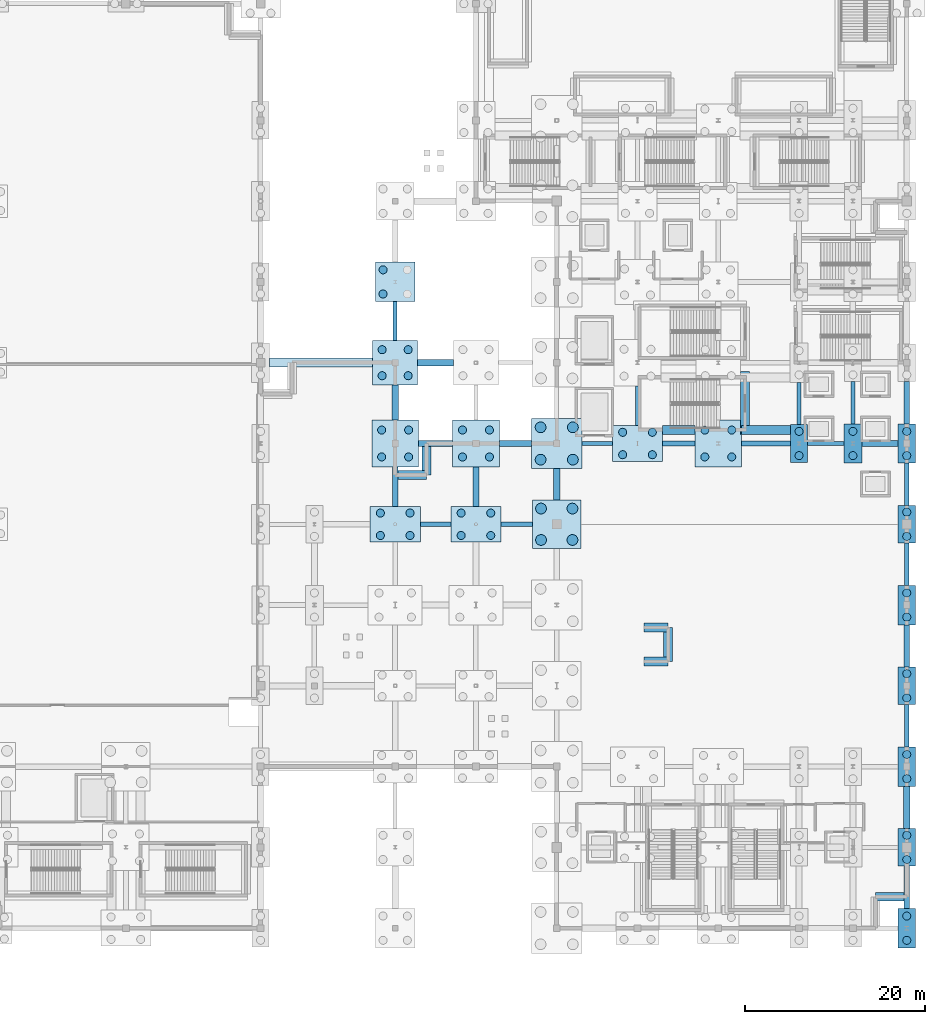
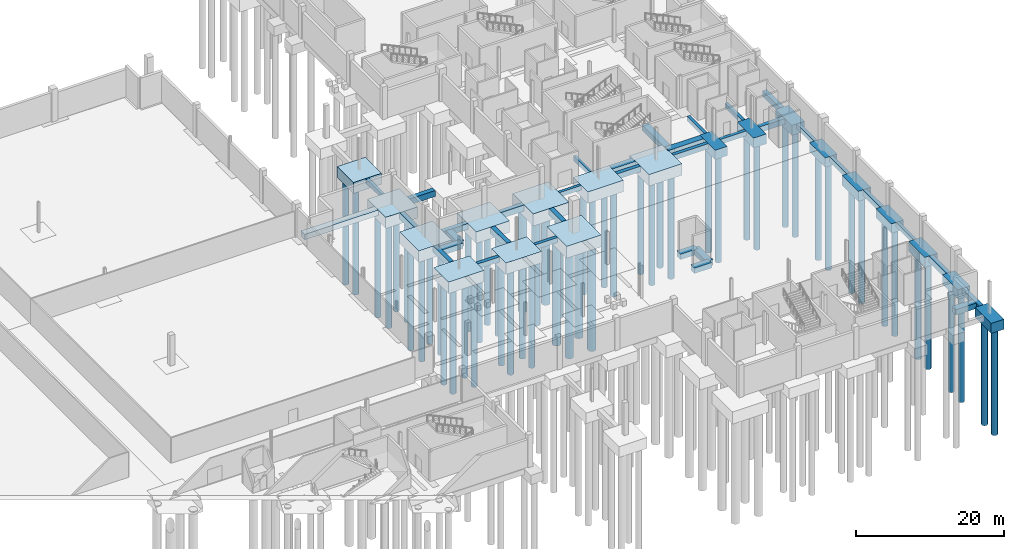
# One storey, part 7 of 58: 56 piles, 54 footings.
"""IFC4 building model written with IfcOpenShell, lengths in metres."""

from ifc_helpers import new_model, si_unit, direction, frame, origin, origin_2d, place, context, subcontext, project, spatial, rectangle, circle, extrude, material, material_profile, profile_set, type_object, element, save


model = new_model("IFC4")

# Units and contexts
model_context = context("Model", 3, precision=1e-05, world=origin(), true_north=direction((0.0, 1.0)))
body_context = subcontext(model_context, "Body", "Model", "MODEL_VIEW")
ifc_project = project(units=[si_unit("LENGTHUNIT", "METRE"), si_unit("AREAUNIT", "SQUARE_METRE"), si_unit("VOLUMEUNIT", "CUBIC_METRE"), si_unit("PLANEANGLEUNIT", "RADIAN"), si_unit("MASSUNIT", "GRAM", prefix="KILO")], contexts=[model_context])

# Site, building, storey
site_placement = place(None, origin())
site = spatial("IfcSite", under=ifc_project, at=site_placement, CompositionType="ELEMENT")
building_placement = place(site_placement, origin())
building = spatial("IfcBuilding", under=site, at=building_placement, Name="Qamarlyn Nura Convention Centre", CompositionType="ELEMENT")
storey_placement = place(building_placement, frame((0.0, 0.0, -5.39990234375)))
storey = spatial("IfcBuildingStorey", under=building, at=storey_placement, Name="B01", CompositionType="ELEMENT", Elevation=-5.39990234375)

# Footings
ifc_material = material(Name="Concrete C40/50", Category="concrete")
ifc_material_profile_1 = material_profile(ifc_material, rectangle(XDim=0.449951171875, YDim=0.75, at=origin_2d()), Name="RC GB 450x750")
ifc_profile_set_1 = profile_set([ifc_material_profile_1], Name="Concrete C40/50")
footing_type_1 = type_object("IfcFootingType", Name="GB-450X750", PredefinedType="FOOTING_BEAM", material=ifc_profile_set_1)
footing_1_placement = place(storey_placement, frame((155.800048828125, 54.0, -0.375), z_axis=(1.0, 0.0, 0.0), x_axis=(0.0, 1.0, 0.0)))
element("IfcFooting", 1, at=footing_1_placement, inside=storey, type_object=footing_type_1, Name="Ground tie beam G 13-14", PredefinedType="FOOTING_BEAM", context=body_context, shape_type="SweptSolid", body=[
    extrude(rectangle(XDim=0.449951171875, YDim=0.75, at=origin_2d()), origin(), (0.0, 0.0, 1.0), 3.39990234375),
])
footing_2_placement = place(storey_placement, frame((135.0, 65.5, -0.375), z_axis=(0.0, 1.0, 0.0), x_axis=(-1.0, 0.0, 0.0)))
element("IfcFooting", 2, at=footing_2_placement, inside=storey, type_object=footing_type_1, Name="Ground tie beam 11 H-J", PredefinedType="FOOTING_BEAM", context=body_context, shape_type="SweptSolid", body=[
    extrude(rectangle(XDim=0.449951171875, YDim=0.75, at=origin_2d()), origin(), (0.0, 0.0, 1.0), 4.300048828125),
])
footing_3_placement = place(storey_placement, frame((162.0, 56.0, -0.375), z_axis=(0.0, 1.0, 0.0), x_axis=(-1.0, 0.0, 0.0)))
element("IfcFooting", 3, at=footing_3_placement, inside=storey, type_object=footing_type_1, Name="Ground tie beam 14 G-H", PredefinedType="FOOTING_BEAM", context=body_context, shape_type="SweptSolid", body=[
    extrude(rectangle(XDim=0.449951171875, YDim=0.75, at=origin_2d()), origin(), (0.0, 0.0, 1.0), 4.39990234375),
])
for number, where, z_axis, x_axis, name in (
    (4, (180.0, 56.10009765625, -0.375), (0.0, 1.0, 0.0), (-1.0, 0.0, 0.0), "Ground tie beam 16 G-H"),
    (5, (186.0, 56.199951171875, -0.375), (0.0, 1.0, 0.0), (-1.0, 0.0, 0.0), "Ground tie beam 17 G-H"),
    (6, (192.0, 20.199951171875, -0.375), (0.0, 1.0, 0.0), (-1.0, 0.0, 0.0), "Ground tie beam 18 C-D"),
):
    element("IfcFooting", number, at=place(storey_placement, frame(where, z_axis=z_axis, x_axis=x_axis)), inside=storey, type_object=footing_type_1, Name=name, PredefinedType="FOOTING_BEAM", context=body_context, shape_type="SweptSolid", body=[
        extrude(rectangle(XDim=0.449951171875, YDim=0.75, at=origin_2d()), origin(), (0.0, 0.0, 1.0), 4.699951171875),
    ])
ifc_material_profile_2 = material_profile(ifc_material, rectangle(XDim=0.5, YDim=0.800048828125, at=origin_2d()), Name="RC GB 500x800")
ifc_profile_set_2 = profile_set([ifc_material_profile_2], Name="Concrete C40/50")
footing_type_2 = type_object("IfcFootingType", Name="GB-500X800", PredefinedType="FOOTING_BEAM", material=ifc_profile_set_2)
footing_4_placement = place(storey_placement, frame((146.800048828125, 45.0, -0.400146484375), z_axis=(1.0, 0.0, 0.0), x_axis=(0.0, 1.0, 0.0)))
element("IfcFooting", 7, at=footing_4_placement, inside=storey, type_object=footing_type_2, Name="Ground tie beam F 12-13", PredefinedType="FOOTING_BEAM", context=body_context, shape_type="SweptSolid", body=[
    extrude(rectangle(XDim=0.5, YDim=0.800048828125, at=origin_2d()), origin(), (0.0, 0.0, 1.0), 3.5),
])
footing_5_placement = place(storey_placement, frame((180.949951171875, 54.0, -0.400146484375), z_axis=(1.0, 0.0, 0.0), x_axis=(0.0, 1.0, 0.0)))
element("IfcFooting", 8, at=footing_5_placement, inside=storey, type_object=footing_type_2, Name="Ground tie beam G 16-17", PredefinedType="FOOTING_BEAM", context=body_context, shape_type="SweptSolid", body=[
    extrude(rectangle(XDim=0.5, YDim=0.800048828125, at=origin_2d()), origin(), (0.0, 0.0, 1.0), 4.050048828125),
])
footing_6_placement = place(storey_placement, frame((192.0, 47.10009765625, -0.400146484375), z_axis=(0.0, 1.0, 0.0), x_axis=(-1.0, 0.0, 0.0)))
element("IfcFooting", 9, at=footing_6_placement, inside=storey, type_object=footing_type_2, Name="Ground tie beam 18 F-G", PredefinedType="FOOTING_BEAM", context=body_context, shape_type="SweptSolid", body=[
    extrude(rectangle(XDim=0.5, YDim=0.800048828125, at=origin_2d()), origin(), (0.0, 0.0, 1.0), 4.699951171875),
])
ifc_material_profile_3 = material_profile(ifc_material, rectangle(XDim=0.550048828125, YDim=0.85009765625, at=origin_2d()), Name="RC GB 550x850")
ifc_profile_set_3 = profile_set([ifc_material_profile_3], Name="Concrete C40/50")
footing_type_3 = type_object("IfcFootingType", Name="GB-550X850", PredefinedType="FOOTING_BEAM", material=ifc_profile_set_3)
footing_7_placement = place(storey_placement, frame((137.800048828125, 45.0, -0.425048828125), z_axis=(1.0, 0.0, 0.0), x_axis=(0.0, 1.0, 0.0)))
element("IfcFooting", 10, at=footing_7_placement, inside=storey, type_object=footing_type_3, Name="Ground tie beam F 11-12", PredefinedType="FOOTING_BEAM", context=body_context, shape_type="SweptSolid", body=[
    extrude(rectangle(XDim=0.550048828125, YDim=0.85009765625, at=origin_2d()), origin(), (0.0, 0.0, 1.0), 3.39990234375),
])
footing_8_placement = place(storey_placement, frame((173.60009765625, 54.0, -0.425048828125), z_axis=(1.0, 0.0, 0.0), x_axis=(0.0, 1.0, 0.0)))
element("IfcFooting", 11, at=footing_8_placement, inside=storey, type_object=footing_type_3, Name="Ground tie beam G 15-16", PredefinedType="FOOTING_BEAM", context=body_context, shape_type="SweptSolid", body=[
    extrude(rectangle(XDim=0.550048828125, YDim=0.85009765625, at=origin_2d()), origin(), (0.0, 0.0, 1.0), 5.449951171875),
])
footing_9_placement = place(storey_placement, frame((192.0, 38.199951171875, -0.425048828125), z_axis=(0.0, 1.0, 0.0), x_axis=(-1.0, 0.0, 0.0)))
element("IfcFooting", 12, at=footing_9_placement, inside=storey, type_object=footing_type_3, Name="Ground tie beam 18 E-F", PredefinedType="FOOTING_BEAM", context=body_context, shape_type="SweptSolid", body=[
    extrude(rectangle(XDim=0.550048828125, YDim=0.85009765625, at=origin_2d()), origin(), (0.0, 0.0, 1.0), 4.699951171875),
])
ifc_material_profile_4 = material_profile(ifc_material, rectangle(XDim=0.60009765625, YDim=0.89990234375, at=origin_2d()), Name="RC GB 600x900")
ifc_profile_set_4 = profile_set([ifc_material_profile_4], Name="Concrete C40/50")
footing_type_4 = type_object("IfcFootingType", Name="GB-600X900", PredefinedType="FOOTING_BEAM", material=ifc_profile_set_4)
footing_10_placement = place(storey_placement, frame((164.800048828125, 54.0, -0.4501953125), z_axis=(1.0, 0.0, 0.0), x_axis=(0.0, 1.0, 0.0)))
element("IfcFooting", 13, at=footing_10_placement, inside=storey, type_object=footing_type_4, Name="Ground tie beam G 14-15", PredefinedType="FOOTING_BEAM", context=body_context, shape_type="SweptSolid", body=[
    extrude(rectangle(XDim=0.60009765625, YDim=0.89990234375, at=origin_2d()), origin(), (0.0, 0.0, 1.0), 3.599853515625),
])
footing_11_placement = place(storey_placement, frame((192.0, 29.10009765625, -0.4501953125), z_axis=(0.0, 1.0, 0.0), x_axis=(-1.0, 0.0, 0.0)))
element("IfcFooting", 14, at=footing_11_placement, inside=storey, type_object=footing_type_4, Name="Ground tie beam 18 D-E", PredefinedType="FOOTING_BEAM", context=body_context, shape_type="SweptSolid", body=[
    extrude(rectangle(XDim=0.60009765625, YDim=0.89990234375, at=origin_2d()), origin(), (0.0, 0.0, 1.0), 4.699951171875),
])
ifc_material_profile_5 = material_profile(ifc_material, rectangle(XDim=0.64990234375, YDim=0.949951171875, at=origin_2d()), Name="RC GB 650x950")
ifc_profile_set_5 = profile_set([ifc_material_profile_5], Name="Concrete C40/50")
footing_type_5 = type_object("IfcFootingType", Name="GB-650X950", PredefinedType="FOOTING_BEAM", material=ifc_profile_set_5)
footing_12_placement = place(storey_placement, frame((137.60009765625, 54.0, -0.47509765625), z_axis=(1.0, 0.0, 0.0), x_axis=(0.0, 1.0, 0.0)))
element("IfcFooting", 15, at=footing_12_placement, inside=storey, type_object=footing_type_5, Name="Ground tie beam G 11-12", PredefinedType="FOOTING_BEAM", context=body_context, shape_type="SweptSolid", body=[
    extrude(rectangle(XDim=0.64990234375, YDim=0.949951171875, at=origin_2d()), origin(), (0.0, 0.0, 1.0), 3.7998046875),
])
footing_13_placement = place(storey_placement, frame((187.0, 54.0, -0.47509765625), z_axis=(1.0, 0.0, 0.0), x_axis=(0.0, 1.0, 0.0)))
element("IfcFooting", 16, at=footing_13_placement, inside=storey, type_object=footing_type_5, Name="Ground tie beam G 17-18", PredefinedType="FOOTING_BEAM", context=body_context, shape_type="SweptSolid", body=[
    extrude(rectangle(XDim=0.64990234375, YDim=0.949951171875, at=origin_2d()), origin(), (0.0, 0.0, 1.0), 4.0),
])
footing_14_placement = place(storey_placement, frame((135.0, 47.0, -0.47509765625), z_axis=(0.0, 1.0, 0.0), x_axis=(-1.0, 0.0, 0.0)))
element("IfcFooting", 17, at=footing_14_placement, inside=storey, type_object=footing_type_5, Name="Ground tie beam 11 F-G", PredefinedType="FOOTING_BEAM", context=body_context, shape_type="SweptSolid", body=[
    extrude(rectangle(XDim=0.64990234375, YDim=0.949951171875, at=origin_2d()), origin(), (0.0, 0.0, 1.0), 4.39990234375),
])
for number, where, z_axis, x_axis, name in (
    (18, (192.0, 2.199951171875, -0.47509765625), (0.0, 1.0, 0.0), (-1.0, 0.0, 0.0), "Ground tie beam 18 A-B"),
    (19, (192.0, 56.199951171875, -0.47509765625), (0.0, 1.0, 0.0), (-1.0, 0.0, 0.0), "Ground tie beam 18 G-H"),
):
    element("IfcFooting", number, at=place(storey_placement, frame(where, z_axis=z_axis, x_axis=x_axis)), inside=storey, type_object=footing_type_5, Name=name, PredefinedType="FOOTING_BEAM", context=body_context, shape_type="SweptSolid", body=[
        extrude(rectangle(XDim=0.64990234375, YDim=0.949951171875, at=origin_2d()), origin(), (0.0, 0.0, 1.0), 4.699951171875),
    ])
ifc_material_profile_6 = material_profile(ifc_material, rectangle(XDim=0.699951171875, YDim=1.0, at=origin_2d()), Name="RC GB 700x1000")
ifc_profile_set_6 = profile_set([ifc_material_profile_6], Name="Concrete C40/50")
footing_type_6 = type_object("IfcFootingType", Name="GB-700X1000", PredefinedType="FOOTING_BEAM", material=ifc_profile_set_6)
footing_15_placement = place(storey_placement, frame((146.60009765625, 54.0, -0.5), z_axis=(1.0, 0.0, 0.0), x_axis=(0.0, 1.0, 0.0)))
element("IfcFooting", 20, at=footing_15_placement, inside=storey, type_object=footing_type_6, Name="Ground tie beam G 12-13", PredefinedType="FOOTING_BEAM", context=body_context, shape_type="SweptSolid", body=[
    extrude(rectangle(XDim=0.699951171875, YDim=1.0, at=origin_2d()), origin(), (0.0, 0.0, 1.0), 3.599853515625),
])
footing_16_placement = place(storey_placement, frame((137.5, 63.0, -0.5), z_axis=(1.0, 0.0, 0.0), x_axis=(0.0, 1.0, 0.0)))
element("IfcFooting", 21, at=footing_16_placement, inside=storey, type_object=footing_type_6, Name="Ground tie beam H 11-12", PredefinedType="FOOTING_BEAM", context=body_context, shape_type="SweptSolid", body=[
    extrude(rectangle(XDim=0.699951171875, YDim=1.0, at=origin_2d()), origin(), (0.0, 0.0, 1.0), 4.0),
])
footing_17_placement = place(storey_placement, frame((135.0, 56.60009765625, -0.5), z_axis=(0.0, 1.0, 0.0), x_axis=(-1.0, 0.0, 0.0)))
element("IfcFooting", 22, at=footing_17_placement, inside=storey, type_object=footing_type_6, Name="Ground tie beam 11 G-H", PredefinedType="FOOTING_BEAM", context=body_context, shape_type="SweptSolid", body=[
    extrude(rectangle(XDim=0.699951171875, YDim=1.0, at=origin_2d()), origin(), (0.0, 0.0, 1.0), 3.89990234375),
])
footing_18_placement = place(storey_placement, frame((144.0, 47.0, -0.5), z_axis=(0.0, 1.0, 0.0), x_axis=(-1.0, 0.0, 0.0)))
element("IfcFooting", 23, at=footing_18_placement, inside=storey, type_object=footing_type_6, Name="Ground tie beam 12 F-G", PredefinedType="FOOTING_BEAM", context=body_context, shape_type="SweptSolid", body=[
    extrude(rectangle(XDim=0.699951171875, YDim=1.0, at=origin_2d()), origin(), (0.0, 0.0, 1.0), 4.39990234375),
])
footing_19_placement = place(storey_placement, frame((153.0, 47.699951171875, -0.5), z_axis=(0.0, 1.0, 0.0), x_axis=(-1.0, 0.0, 0.0)))
element("IfcFooting", 24, at=footing_19_placement, inside=storey, type_object=footing_type_6, Name="Ground tie beam 13 F-G", PredefinedType="FOOTING_BEAM", context=body_context, shape_type="SweptSolid", body=[
    extrude(rectangle(XDim=0.699951171875, YDim=1.0, at=origin_2d()), origin(), (0.0, 0.0, 1.0), 3.5),
])
footing_20_placement = place(storey_placement, frame((192.0, 11.10009765625, -0.5), z_axis=(0.0, 1.0, 0.0), x_axis=(-1.0, 0.0, 0.0)))
element("IfcFooting", 25, at=footing_20_placement, inside=storey, type_object=footing_type_6, Name="Ground tie beam 18 B-C", PredefinedType="FOOTING_BEAM", context=body_context, shape_type="SweptSolid", body=[
    extrude(rectangle(XDim=0.699951171875, YDim=1.0, at=origin_2d()), origin(), (0.0, 0.0, 1.0), 4.699951171875),
])
footing_type_7 = type_object("IfcFootingType", Name="PC-CORE-56X40", PredefinedType="PILE_CAP", material=ifc_material)
for number, where, z_axis, x_axis, name in (
    (26, (135.0, 45.0, -1.900146484375), (0.0, 0.0, 1.0), (1.0, 0.0, 0.0), "Pile cap CAP-11-F"),
    (27, (144.0, 45.0, -1.900146484375), (0.0, 0.0, 1.0), (1.0, 0.0, 0.0), "Pile cap CAP-12-F"),
    (28, (162.0, 54.0, -1.900146484375), (0.0, 0.0, 1.0), (1.0, 0.0, 0.0), "Pile cap CAP-14-G"),
):
    element("IfcFooting", number, at=place(storey_placement, frame(where, z_axis=z_axis, x_axis=x_axis)), inside=storey, type_object=footing_type_7, Name=name, PredefinedType="PILE_CAP", context=body_context, shape_type="SweptSolid", body=[
        extrude(rectangle(XDim=5.60009765625, YDim=4.0, at=origin_2d()), origin(), (0.0, 0.0, 1.0), 1.89990234375),
    ])
footing_type_8 = type_object("IfcFootingType", Name="PC-HALL-50", PredefinedType="PILE_CAP", material=ifc_material)
footing_21_placement = place(storey_placement, frame((135.0, 63.0, -1.85009765625), z_axis=(0.0, 0.0, 1.0), x_axis=(1.0, 0.0, 0.0)))
element("IfcFooting", 29, at=footing_21_placement, inside=storey, type_object=footing_type_8, Name="Pile cap CAP-11-H", PredefinedType="PILE_CAP", context=body_context, shape_type="SweptSolid", body=[
    extrude(rectangle(XDim=5.0, YDim=5.0, at=origin_2d()), origin(), (0.0, 0.0, 1.0), 1.85009765625),
])
footing_type_9 = type_object("IfcFootingType", Name="PC-HALL-52", PredefinedType="PILE_CAP", material=ifc_material)
for number, where, z_axis, x_axis, name in (
    (30, (135.0, 54.0, -1.900146484375), (0.0, 0.0, 1.0), (1.0, 0.0, 0.0), "Pile cap CAP-11-G"),
    (31, (144.0, 54.0, -1.900146484375), (0.0, 0.0, 1.0), (1.0, 0.0, 0.0), "Pile cap CAP-12-G"),
    (32, (171.0, 54.0, -1.900146484375), (0.0, 0.0, 1.0), (1.0, 0.0, 0.0), "Pile cap CAP-15-G"),
):
    element("IfcFooting", number, at=place(storey_placement, frame(where, z_axis=z_axis, x_axis=x_axis)), inside=storey, type_object=footing_type_9, Name=name, PredefinedType="PILE_CAP", context=body_context, shape_type="SweptSolid", body=[
        extrude(rectangle(XDim=5.199951171875, YDim=5.199951171875, at=origin_2d()), origin(), (0.0, 0.0, 1.0), 1.89990234375),
    ])
footing_type_10 = type_object("IfcFootingType", Name="PC-MEGA-54", PredefinedType="PILE_CAP", material=ifc_material)
footing_22_placement = place(storey_placement, frame((153.0, 45.0, -1.9501953125), z_axis=(0.0, 0.0, 1.0), x_axis=(1.0, 0.0, 0.0)))
element("IfcFooting", 33, at=footing_22_placement, inside=storey, type_object=footing_type_10, Name="Pile cap CAP-13-F", PredefinedType="PILE_CAP", context=body_context, shape_type="SweptSolid", body=[
    extrude(rectangle(XDim=5.39990234375, YDim=5.39990234375, at=origin_2d()), origin(), (0.0, 0.0, 1.0), 1.949951171875),
])
footing_type_11 = type_object("IfcFootingType", Name="PC-MEGA-56", PredefinedType="PILE_CAP", material=ifc_material)
footing_23_placement = place(storey_placement, frame((153.0, 54.0, -2.0), z_axis=(0.0, 0.0, 1.0), x_axis=(1.0, 0.0, 0.0)))
element("IfcFooting", 34, at=footing_23_placement, inside=storey, type_object=footing_type_11, Name="Pile cap CAP-13-G", PredefinedType="PILE_CAP", context=body_context, shape_type="SweptSolid", body=[
    extrude(rectangle(XDim=5.60009765625, YDim=5.60009765625, at=origin_2d()), origin(), (0.0, 0.0, 1.0), 2.0),
])
footing_type_12 = type_object("IfcFootingType", Name="PC-PAIR-19X42", PredefinedType="PILE_CAP", material=ifc_material)
for number, where, z_axis, x_axis, name in (
    (35, (180.0, 54.0, -1.55029296875), (0.0, 0.0, 1.0), (1.0, 0.0, 0.0), "Pile cap CAP-16-G"),
    (36, (192.0, 9.0, -1.55029296875), (0.0, 0.0, 1.0), (1.0, 0.0, 0.0), "Pile cap CAP-18-B"),
    (37, (192.0, 27.0, -1.55029296875), (0.0, 0.0, 1.0), (1.0, 0.0, 0.0), "Pile cap CAP-18-D"),
    (38, (192.0, 45.0, -1.55029296875), (0.0, 0.0, 1.0), (1.0, 0.0, 0.0), "Pile cap CAP-18-F"),
):
    element("IfcFooting", number, at=place(storey_placement, frame(where, z_axis=z_axis, x_axis=x_axis)), inside=storey, type_object=footing_type_12, Name=name, PredefinedType="PILE_CAP", context=body_context, shape_type="SweptSolid", body=[
        extrude(rectangle(XDim=1.89990234375, YDim=4.199951171875, at=origin_2d()), origin(), (0.0, 0.0, 1.0), 1.550048828125),
    ])
footing_type_13 = type_object("IfcFootingType", Name="PC-PAIR-20X44", PredefinedType="PILE_CAP", material=ifc_material)
for number, where, z_axis, x_axis, name in (
    (39, (186.0, 54.0, -1.650146484375), (0.0, 0.0, 1.0), (1.0, 0.0, 0.0), "Pile cap CAP-17-G"),
    (40, (192.0, 0.0, -1.650146484375), (0.0, 0.0, 1.0), (1.0, 0.0, 0.0), "Pile cap CAP-18-A"),
    (41, (192.0, 18.0, -1.650146484375), (0.0, 0.0, 1.0), (1.0, 0.0, 0.0), "Pile cap CAP-18-C"),
    (42, (192.0, 36.0, -1.650146484375), (0.0, 0.0, 1.0), (1.0, 0.0, 0.0), "Pile cap CAP-18-E"),
    (43, (192.0, 54.0, -1.650146484375), (0.0, 0.0, 1.0), (1.0, 0.0, 0.0), "Pile cap CAP-18-G"),
):
    element("IfcFooting", number, at=place(storey_placement, frame(where, z_axis=z_axis, x_axis=x_axis)), inside=storey, type_object=footing_type_13, Name=name, PredefinedType="PILE_CAP", context=body_context, shape_type="SweptSolid", body=[
        extrude(rectangle(XDim=2.0, YDim=4.39990234375, at=origin_2d()), origin(), (0.0, 0.0, 1.0), 1.64990234375),
    ])
footing_type_14 = type_object("IfcFootingType", Name="PC-WING-44", PredefinedType="PILE_CAP", material=ifc_material)
footing_24_placement = place(storey_placement, frame((135.0, 72.0, -1.80029296875), z_axis=(0.0, 0.0, 1.0), x_axis=(1.0, 0.0, 0.0)))
element("IfcFooting", 44, at=footing_24_placement, inside=storey, type_object=footing_type_14, Name="Pile cap CAP-11-J", PredefinedType="PILE_CAP", context=body_context, shape_type="SweptSolid", body=[
    extrude(rectangle(XDim=4.39990234375, YDim=4.39990234375, at=origin_2d()), origin(), (0.0, 0.0, 1.0), 1.800048828125),
])

# Piles
ifc_material_profile_7 = material_profile(ifc_material, circle(Radius=0.60009765625, at=origin_2d()), Name="BORED PILE 1200")
ifc_profile_set_7 = profile_set([ifc_material_profile_7], Name="Concrete C40/50")
pile_type_1 = type_object("IfcPileType", Name="PILE-1200", PredefinedType="BORED", material=ifc_profile_set_7)
for number, where, z_axis, x_axis, name in (
    (45, (151.25, 43.25, -1.800048828125), (0.0, 0.0, -1.0), (1.0, 0.0, 0.0), "Bored pile PILE-13-F-1"),
    (46, (154.75, 43.25, -1.800048828125), (0.0, 0.0, -1.0), (1.0, 0.0, 0.0), "Bored pile PILE-13-F-2"),
    (47, (151.25, 46.75, -1.800048828125), (0.0, 0.0, -1.0), (1.0, 0.0, 0.0), "Bored pile PILE-13-F-3"),
    (48, (154.75, 46.75, -1.800048828125), (0.0, 0.0, -1.0), (1.0, 0.0, 0.0), "Bored pile PILE-13-F-4"),
):
    element("IfcPile", number, at=place(storey_placement, frame(where, z_axis=z_axis, x_axis=x_axis)), inside=storey, type_object=pile_type_1, Name=name, PredefinedType="BORED", context=body_context, shape_type="SweptSolid", body=[
        extrude(circle(Radius=0.60009765625, at=origin_2d()), origin(), (0.0, 0.0, 1.0), 17.300048828125),
    ])
for number, where, z_axis, x_axis, name in (
    (49, (151.199951171875, 52.199951171875, -1.85009765625), (0.0, 0.0, -1.0), (1.0, 0.0, 0.0), "Bored pile PILE-13-G-1"),
    (50, (154.800048828125, 52.199951171875, -1.85009765625), (0.0, 0.0, -1.0), (1.0, 0.0, 0.0), "Bored pile PILE-13-G-2"),
    (51, (151.199951171875, 55.800048828125, -1.85009765625), (0.0, 0.0, -1.0), (1.0, 0.0, 0.0), "Bored pile PILE-13-G-3"),
    (52, (154.800048828125, 55.800048828125, -1.85009765625), (0.0, 0.0, -1.0), (1.0, 0.0, 0.0), "Bored pile PILE-13-G-4"),
):
    element("IfcPile", number, at=place(storey_placement, frame(where, z_axis=z_axis, x_axis=x_axis)), inside=storey, type_object=pile_type_1, Name=name, PredefinedType="BORED", context=body_context, shape_type="SweptSolid", body=[
        extrude(circle(Radius=0.60009765625, at=origin_2d()), origin(), (0.0, 0.0, 1.0), 17.25),
    ])
ifc_material_profile_8 = material_profile(ifc_material, circle(Radius=0.449951171875, at=origin_2d()), Name="BORED PILE 900")
ifc_profile_set_8 = profile_set([ifc_material_profile_8], Name="Concrete C40/50")
pile_type_2 = type_object("IfcPileType", Name="PILE-900", PredefinedType="BORED", material=ifc_profile_set_8)
for number, where, z_axis, x_axis, name in (
    (53, (133.35009765625, 43.75, -1.75), (0.0, 0.0, -1.0), (1.0, 0.0, 0.0), "Bored pile PILE-11-F-1"),
    (54, (136.64990234375, 43.75, -1.75), (0.0, 0.0, -1.0), (1.0, 0.0, 0.0), "Bored pile PILE-11-F-2"),
    (55, (133.35009765625, 46.25, -1.75), (0.0, 0.0, -1.0), (1.0, 0.0, 0.0), "Bored pile PILE-11-F-3"),
    (56, (136.64990234375, 46.25, -1.75), (0.0, 0.0, -1.0), (1.0, 0.0, 0.0), "Bored pile PILE-11-F-4"),
    (57, (133.5, 52.5, -1.75), (0.0, 0.0, -1.0), (1.0, 0.0, 0.0), "Bored pile PILE-11-G-1"),
    (58, (136.5, 52.5, -1.75), (0.0, 0.0, -1.0), (1.0, 0.0, 0.0), "Bored pile PILE-11-G-2"),
    (59, (133.5, 55.5, -1.75), (0.0, 0.0, -1.0), (1.0, 0.0, 0.0), "Bored pile PILE-11-G-3"),
    (60, (136.5, 55.5, -1.75), (0.0, 0.0, -1.0), (1.0, 0.0, 0.0), "Bored pile PILE-11-G-4"),
):
    element("IfcPile", number, at=place(storey_placement, frame(where, z_axis=z_axis, x_axis=x_axis)), inside=storey, type_object=pile_type_2, Name=name, PredefinedType="BORED", context=body_context, shape_type="SweptSolid", body=[
        extrude(circle(Radius=0.449951171875, at=origin_2d()), origin(), (0.0, 0.0, 1.0), 17.35009765625),
    ])
for number, where, z_axis, x_axis, name in (
    (61, (133.550048828125, 61.550048828125, -1.7001953125), (0.0, 0.0, -1.0), (1.0, 0.0, 0.0), "Bored pile PILE-11-H-1"),
    (62, (136.449951171875, 61.550048828125, -1.7001953125), (0.0, 0.0, -1.0), (1.0, 0.0, 0.0), "Bored pile PILE-11-H-2"),
    (63, (133.550048828125, 64.449951171875, -1.7001953125), (0.0, 0.0, -1.0), (1.0, 0.0, 0.0), "Bored pile PILE-11-H-3"),
    (64, (136.449951171875, 64.449951171875, -1.7001953125), (0.0, 0.0, -1.0), (1.0, 0.0, 0.0), "Bored pile PILE-11-H-4"),
):
    element("IfcPile", number, at=place(storey_placement, frame(where, z_axis=z_axis, x_axis=x_axis)), inside=storey, type_object=pile_type_2, Name=name, PredefinedType="BORED", context=body_context, shape_type="SweptSolid", body=[
        extrude(circle(Radius=0.449951171875, at=origin_2d()), origin(), (0.0, 0.0, 1.0), 17.39990234375),
    ])
for number, where, z_axis, x_axis, name in (
    (65, (133.64990234375, 70.64990234375, -1.650146484375), (0.0, 0.0, -1.0), (1.0, 0.0, 0.0), "Bored pile PILE-11-J-1"),
    (66, (133.64990234375, 73.35009765625, -1.650146484375), (0.0, 0.0, -1.0), (1.0, 0.0, 0.0), "Bored pile PILE-11-J-3"),
):
    element("IfcPile", number, at=place(storey_placement, frame(where, z_axis=z_axis, x_axis=x_axis)), inside=storey, type_object=pile_type_2, Name=name, PredefinedType="BORED", context=body_context, shape_type="SweptSolid", body=[
        extrude(circle(Radius=0.449951171875, at=origin_2d()), origin(), (0.0, 0.0, 1.0), 17.449951171875),
    ])
for number, where, z_axis, x_axis, name in (
    (67, (142.35009765625, 43.75, -1.75), (0.0, 0.0, -1.0), (1.0, 0.0, 0.0), "Bored pile PILE-12-F-1"),
    (68, (145.64990234375, 43.75, -1.75), (0.0, 0.0, -1.0), (1.0, 0.0, 0.0), "Bored pile PILE-12-F-2"),
    (69, (142.35009765625, 46.25, -1.75), (0.0, 0.0, -1.0), (1.0, 0.0, 0.0), "Bored pile PILE-12-F-3"),
    (70, (145.64990234375, 46.25, -1.75), (0.0, 0.0, -1.0), (1.0, 0.0, 0.0), "Bored pile PILE-12-F-4"),
    (71, (142.5, 52.5, -1.75), (0.0, 0.0, -1.0), (1.0, 0.0, 0.0), "Bored pile PILE-12-G-1"),
    (72, (145.5, 52.5, -1.75), (0.0, 0.0, -1.0), (1.0, 0.0, 0.0), "Bored pile PILE-12-G-2"),
    (73, (142.5, 55.5, -1.75), (0.0, 0.0, -1.0), (1.0, 0.0, 0.0), "Bored pile PILE-12-G-3"),
    (74, (145.5, 55.5, -1.75), (0.0, 0.0, -1.0), (1.0, 0.0, 0.0), "Bored pile PILE-12-G-4"),
    (75, (160.35009765625, 52.75, -1.75), (0.0, 0.0, -1.0), (1.0, 0.0, 0.0), "Bored pile PILE-14-G-1"),
    (76, (163.64990234375, 52.75, -1.75), (0.0, 0.0, -1.0), (1.0, 0.0, 0.0), "Bored pile PILE-14-G-2"),
    (77, (160.35009765625, 55.25, -1.75), (0.0, 0.0, -1.0), (1.0, 0.0, 0.0), "Bored pile PILE-14-G-3"),
    (78, (163.64990234375, 55.25, -1.75), (0.0, 0.0, -1.0), (1.0, 0.0, 0.0), "Bored pile PILE-14-G-4"),
    (79, (169.5, 52.5, -1.75), (0.0, 0.0, -1.0), (1.0, 0.0, 0.0), "Bored pile PILE-15-G-1"),
    (80, (172.5, 52.5, -1.75), (0.0, 0.0, -1.0), (1.0, 0.0, 0.0), "Bored pile PILE-15-G-2"),
    (81, (169.5, 55.5, -1.75), (0.0, 0.0, -1.0), (1.0, 0.0, 0.0), "Bored pile PILE-15-G-3"),
    (82, (172.5, 55.5, -1.75), (0.0, 0.0, -1.0), (1.0, 0.0, 0.0), "Bored pile PILE-15-G-4"),
):
    element("IfcPile", number, at=place(storey_placement, frame(where, z_axis=z_axis, x_axis=x_axis)), inside=storey, type_object=pile_type_2, Name=name, PredefinedType="BORED", context=body_context, shape_type="SweptSolid", body=[
        extrude(circle(Radius=0.449951171875, at=origin_2d()), origin(), (0.0, 0.0, 1.0), 17.35009765625),
    ])
for number, where, z_axis, x_axis, name in (
    (83, (180.0, 52.64990234375, -1.400146484375), (0.0, 0.0, -1.0), (1.0, 0.0, 0.0), "Bored pile PILE-16-G-1"),
    (84, (180.0, 55.35009765625, -1.400146484375), (0.0, 0.0, -1.0), (1.0, 0.0, 0.0), "Bored pile PILE-16-G-2"),
):
    element("IfcPile", number, at=place(storey_placement, frame(where, z_axis=z_axis, x_axis=x_axis)), inside=storey, type_object=pile_type_2, Name=name, PredefinedType="BORED", context=body_context, shape_type="SweptSolid", body=[
        extrude(circle(Radius=0.449951171875, at=origin_2d()), origin(), (0.0, 0.0, 1.0), 17.699951171875),
    ])
for number, where, z_axis, x_axis, name in (
    (85, (186.0, 52.64990234375, -1.5), (0.0, 0.0, -1.0), (1.0, 0.0, 0.0), "Bored pile PILE-17-G-1"),
    (86, (186.0, 55.35009765625, -1.5), (0.0, 0.0, -1.0), (1.0, 0.0, 0.0), "Bored pile PILE-17-G-2"),
    (87, (192.0, -1.35009765625, -1.5), (0.0, 0.0, -1.0), (1.0, 0.0, 0.0), "Bored pile PILE-18-A-1"),
    (88, (192.0, 1.35009765625, -1.5), (0.0, 0.0, -1.0), (1.0, 0.0, 0.0), "Bored pile PILE-18-A-2"),
):
    element("IfcPile", number, at=place(storey_placement, frame(where, z_axis=z_axis, x_axis=x_axis)), inside=storey, type_object=pile_type_2, Name=name, PredefinedType="BORED", context=body_context, shape_type="SweptSolid", body=[
        extrude(circle(Radius=0.449951171875, at=origin_2d()), origin(), (0.0, 0.0, 1.0), 17.60009765625),
    ])
for number, where, z_axis, x_axis, name in (
    (89, (192.0, 7.64990234375, -1.400146484375), (0.0, 0.0, -1.0), (1.0, 0.0, 0.0), "Bored pile PILE-18-B-1"),
    (90, (192.0, 10.35009765625, -1.400146484375), (0.0, 0.0, -1.0), (1.0, 0.0, 0.0), "Bored pile PILE-18-B-2"),
):
    element("IfcPile", number, at=place(storey_placement, frame(where, z_axis=z_axis, x_axis=x_axis)), inside=storey, type_object=pile_type_2, Name=name, PredefinedType="BORED", context=body_context, shape_type="SweptSolid", body=[
        extrude(circle(Radius=0.449951171875, at=origin_2d()), origin(), (0.0, 0.0, 1.0), 17.699951171875),
    ])
for number, where, z_axis, x_axis, name in (
    (91, (192.0, 16.64990234375, -1.5), (0.0, 0.0, -1.0), (1.0, 0.0, 0.0), "Bored pile PILE-18-C-1"),
    (92, (192.0, 19.35009765625, -1.5), (0.0, 0.0, -1.0), (1.0, 0.0, 0.0), "Bored pile PILE-18-C-2"),
):
    element("IfcPile", number, at=place(storey_placement, frame(where, z_axis=z_axis, x_axis=x_axis)), inside=storey, type_object=pile_type_2, Name=name, PredefinedType="BORED", context=body_context, shape_type="SweptSolid", body=[
        extrude(circle(Radius=0.449951171875, at=origin_2d()), origin(), (0.0, 0.0, 1.0), 17.60009765625),
    ])
for number, where, z_axis, x_axis, name in (
    (93, (192.0, 25.64990234375, -1.400146484375), (0.0, 0.0, -1.0), (1.0, 0.0, 0.0), "Bored pile PILE-18-D-1"),
    (94, (192.0, 28.35009765625, -1.400146484375), (0.0, 0.0, -1.0), (1.0, 0.0, 0.0), "Bored pile PILE-18-D-2"),
):
    element("IfcPile", number, at=place(storey_placement, frame(where, z_axis=z_axis, x_axis=x_axis)), inside=storey, type_object=pile_type_2, Name=name, PredefinedType="BORED", context=body_context, shape_type="SweptSolid", body=[
        extrude(circle(Radius=0.449951171875, at=origin_2d()), origin(), (0.0, 0.0, 1.0), 17.699951171875),
    ])
for number, where, z_axis, x_axis, name in (
    (95, (192.0, 34.64990234375, -1.5), (0.0, 0.0, -1.0), (1.0, 0.0, 0.0), "Bored pile PILE-18-E-1"),
    (96, (192.0, 37.35009765625, -1.5), (0.0, 0.0, -1.0), (1.0, 0.0, 0.0), "Bored pile PILE-18-E-2"),
):
    element("IfcPile", number, at=place(storey_placement, frame(where, z_axis=z_axis, x_axis=x_axis)), inside=storey, type_object=pile_type_2, Name=name, PredefinedType="BORED", context=body_context, shape_type="SweptSolid", body=[
        extrude(circle(Radius=0.449951171875, at=origin_2d()), origin(), (0.0, 0.0, 1.0), 17.60009765625),
    ])
for number, where, z_axis, x_axis, name in (
    (97, (192.0, 43.64990234375, -1.400146484375), (0.0, 0.0, -1.0), (1.0, 0.0, 0.0), "Bored pile PILE-18-F-1"),
    (98, (192.0, 46.35009765625, -1.400146484375), (0.0, 0.0, -1.0), (1.0, 0.0, 0.0), "Bored pile PILE-18-F-2"),
):
    element("IfcPile", number, at=place(storey_placement, frame(where, z_axis=z_axis, x_axis=x_axis)), inside=storey, type_object=pile_type_2, Name=name, PredefinedType="BORED", context=body_context, shape_type="SweptSolid", body=[
        extrude(circle(Radius=0.449951171875, at=origin_2d()), origin(), (0.0, 0.0, 1.0), 17.699951171875),
    ])
for number, where, z_axis, x_axis, name in (
    (99, (192.0, 52.64990234375, -1.5), (0.0, 0.0, -1.0), (1.0, 0.0, 0.0), "Bored pile PILE-18-G-1"),
    (100, (192.0, 55.35009765625, -1.5), (0.0, 0.0, -1.0), (1.0, 0.0, 0.0), "Bored pile PILE-18-G-2"),
):
    element("IfcPile", number, at=place(storey_placement, frame(where, z_axis=z_axis, x_axis=x_axis)), inside=storey, type_object=pile_type_2, Name=name, PredefinedType="BORED", context=body_context, shape_type="SweptSolid", body=[
        extrude(circle(Radius=0.449951171875, at=origin_2d()), origin(), (0.0, 0.0, 1.0), 17.60009765625),
    ])

# Footings
ifc_material_profile_9 = material_profile(ifc_material, rectangle(XDim=1.0, YDim=0.89990234375, at=origin_2d()), Name="RC STRIP 1000x900")
ifc_profile_set_9 = profile_set([ifc_material_profile_9], Name="Concrete C40/50")
footing_type_15 = type_object("IfcFootingType", Name="SF-WALL-1000", PredefinedType="STRIP_FOOTING", material=ifc_profile_set_9)
footing_25_placement = place(storey_placement, frame((121.0, 63.0, -0.4501953125), z_axis=(1.0, 0.0, 0.0), x_axis=(0.0, 1.0, 0.0)))
element("IfcFooting", 101, at=footing_25_placement, inside=storey, type_object=footing_type_15, Name="Strip footing WRET-B01-37-1", PredefinedType="STRIP_FOOTING", context=body_context, shape_type="SweptSolid", body=[
    extrude(rectangle(XDim=1.0, YDim=0.89990234375, at=origin_2d()), origin(), (0.0, 0.0, 1.0), 11.5),
])
for number, where, z_axis, x_axis, name in (
    (102, (135.0, 50.5, -0.4501953125), (1.0, 0.0, 0.0), (0.0, 1.0, 0.0), "Strip footing WRET-B01-40-1"),
    (103, (138.5, 50.5, -0.4501953125), (0.0, 1.0, 0.0), (-1.0, 0.0, 0.0), "Strip footing WRET-B01-41-1"),
    (104, (192.0, 3.5, -0.4501953125), (-1.0, 0.0, 0.0), (0.0, -1.0, 0.0), "Strip footing WRET-B01-78-1"),
):
    element("IfcFooting", number, at=place(storey_placement, frame(where, z_axis=z_axis, x_axis=x_axis)), inside=storey, type_object=footing_type_15, Name=name, PredefinedType="STRIP_FOOTING", context=body_context, shape_type="SweptSolid", body=[
        extrude(rectangle(XDim=1.0, YDim=0.89990234375, at=origin_2d()), origin(), (0.0, 0.0, 1.0), 3.5),
    ])
footing_26_placement = place(storey_placement, frame((164.800048828125, 55.52490234375, -0.4501953125), z_axis=(1.0, 0.0, 0.0), x_axis=(0.0, 1.0, 0.0)))
element("IfcFooting", 105, at=footing_26_placement, inside=storey, type_object=footing_type_15, Name="Strip footing WST-ST-11-B01-S-1", PredefinedType="STRIP_FOOTING", context=body_context, shape_type="SweptSolid", body=[
    extrude(rectangle(XDim=1.0, YDim=0.89990234375, at=origin_2d()), origin(), (0.0, 0.0, 1.0), 3.599853515625),
])
footing_27_placement = place(storey_placement, frame((173.60009765625, 55.52490234375, -0.4501953125), z_axis=(1.0, 0.0, 0.0), x_axis=(0.0, 1.0, 0.0)))
element("IfcFooting", 106, at=footing_27_placement, inside=storey, type_object=footing_type_15, Name="Strip footing WST-ST-11-B01-S-2", PredefinedType="STRIP_FOOTING", context=body_context, shape_type="SweptSolid", body=[
    extrude(rectangle(XDim=1.0, YDim=0.89990234375, at=origin_2d()), origin(), (0.0, 0.0, 1.0), 5.449951171875),
])
footing_28_placement = place(storey_placement, frame((173.97509765625, 54.97509765625, -0.4501953125), z_axis=(0.0, 1.0, 0.0), x_axis=(-1.0, 0.0, 0.0)))
element("IfcFooting", 107, at=footing_28_placement, inside=storey, type_object=footing_type_15, Name="Strip footing WST-ST-11-B01-E-1", PredefinedType="STRIP_FOOTING", context=body_context, shape_type="SweptSolid", body=[
    extrude(rectangle(XDim=1.0, YDim=0.89990234375, at=origin_2d()), origin(), (0.0, 0.0, 1.0), 7.0498046875),
])
for number, where, z_axis, x_axis, name in (
    (108, (162.719970703125, 29.699951171875, -0.4501953125), (1.0, 0.0, 0.0), (0.0, 1.0, 0.0), "Strip footing WSTFIN-ST-20-B01-1-1"),
    (109, (162.719970703125, 33.47998046875, -0.4501953125), (1.0, 0.0, 0.0), (0.0, 1.0, 0.0), "Strip footing WSTFIN-ST-20-B01-2-1"),
):
    element("IfcFooting", number, at=place(storey_placement, frame(where, z_axis=z_axis, x_axis=x_axis)), inside=storey, type_object=footing_type_15, Name=name, PredefinedType="STRIP_FOOTING", context=body_context, shape_type="SweptSolid", body=[
        extrude(rectangle(XDim=1.0, YDim=0.89990234375, at=origin_2d()), origin(), (0.0, 0.0, 1.0), 2.699951171875),
    ])
footing_29_placement = place(storey_placement, frame((165.419921875, 29.699951171875, -0.4501953125), z_axis=(0.0, 1.0, 0.0), x_axis=(-1.0, 0.0, 0.0)))
element("IfcFooting", 110, at=footing_29_placement, inside=storey, type_object=footing_type_15, Name="Strip footing WSTFIN-ST-20-B01-3-1", PredefinedType="STRIP_FOOTING", context=body_context, shape_type="SweptSolid", body=[
    extrude(rectangle(XDim=1.0, YDim=0.89990234375, at=origin_2d()), origin(), (0.0, 0.0, 1.0), 3.780029296875),
])

save(model, "model.ifc")
